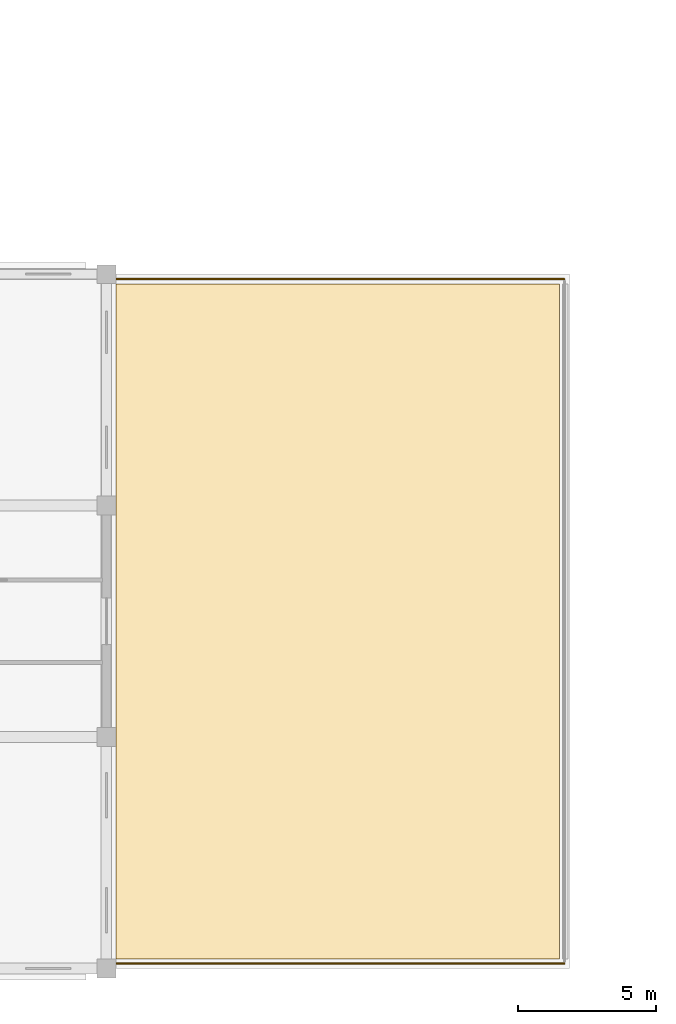
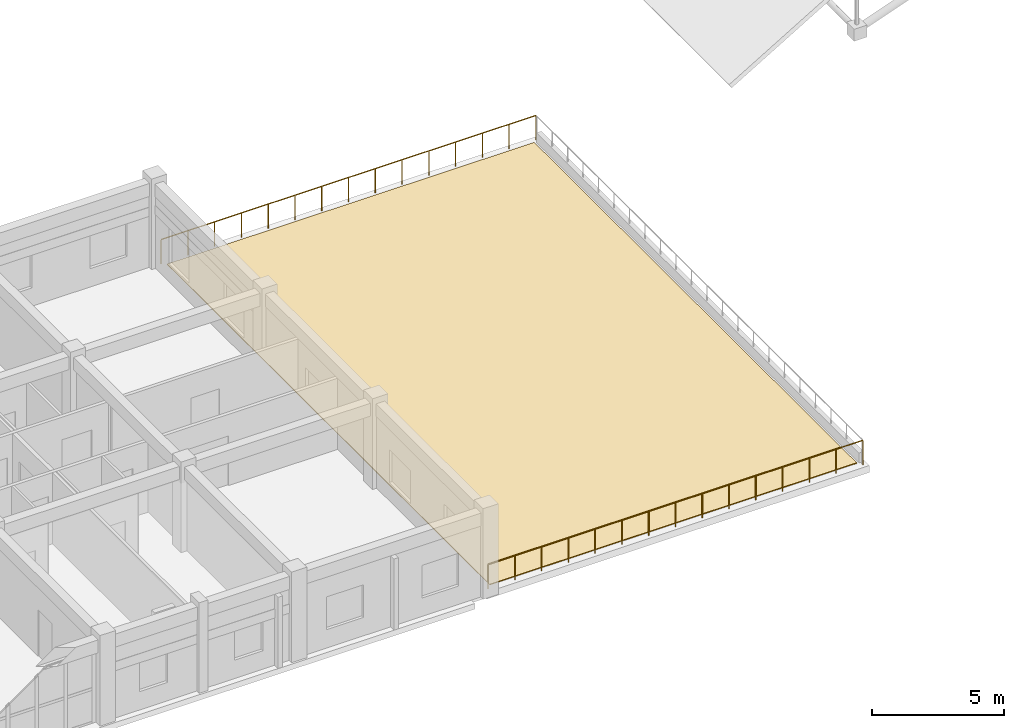
# One storey, part 132 of 140: 2 railings, 1 covering.
"""IFC4 building model written with IfcOpenShell, lengths in metres."""

from ifc_helpers import new_model, si_unit, direction, frame, origin, origin_2d, place, context, subcontext, project, spatial, polyline, circle, outline, extrude, material, layer, layer_set, type_object, element, save


model = new_model("IFC4")

# Units and contexts
model_context = context("Model", 3, precision=1e-05, world=origin(), true_north=direction((0.0, 1.0)))
body_context = subcontext(model_context, "Body", "Model", "MODEL_VIEW")
ifc_project = project(units=[si_unit("LENGTHUNIT", "METRE"), si_unit("AREAUNIT", "SQUARE_METRE"), si_unit("VOLUMEUNIT", "CUBIC_METRE"), si_unit("PLANEANGLEUNIT", "RADIAN"), si_unit("MASSUNIT", "GRAM", prefix="KILO")], contexts=[model_context])

# Site, building, storey
site_placement = place(None, origin())
site = spatial("IfcSite", under=ifc_project, at=site_placement, CompositionType="ELEMENT")
building_placement = place(site_placement, origin())
building = spatial("IfcBuilding", under=site, at=building_placement, Name="Trelvath General Hospital", CompositionType="ELEMENT")
storey_placement = place(building_placement, frame((0.0, 0.0, 16.199951171875)))
storey = spatial("IfcBuildingStorey", under=building, at=storey_placement, Name="L04", CompositionType="ELEMENT", Elevation=16.199951171875)

# Railings
ifc_material_1 = material(Name="Architectural painted steel", Category="steel")
railing_type = type_object("IfcRailingType", Name="Guardrail Terrace1150", PredefinedType="GUARDRAIL", material=ifc_material_1)
railing_1_placement = place(storey_placement, frame((117.780029296875, 0.179931640625, 0.0)))
element("IfcRailing", 1, at=railing_1_placement, inside=storey, type_object=railing_type, Name="Planted Terrace Guardrail TERR-SW-E4 S 8", PredefinedType="GUARDRAIL", context=body_context, shape_type="SweptSolid", body=[
    extrude(circle(Radius=0.02392578125, at=origin_2d()), frame((0.0, 0.0, 1.1259765625), z_axis=(1.0, 0.0, 0.0), x_axis=(0.0, 1.0, 0.0)), (0.0, 0.0, 1.0), 16.43994140625),
    extrude(circle(Radius=0.02099609375, at=origin_2d()), origin(), (0.0, 0.0, 1.0), 1.099853515625),
    extrude(circle(Radius=0.02099609375, at=origin_2d()), frame((1.17431640625, 0.0, 0.0)), (0.0, 0.0, 1.0), 1.099853515625),
    extrude(circle(Radius=0.02099609375, at=origin_2d()), frame((2.3486328125, 0.0, 0.0)), (0.0, 0.0, 1.0), 1.099853515625),
    extrude(circle(Radius=0.02099609375, at=origin_2d()), frame((3.52294921875, 0.0, 0.0)), (0.0, 0.0, 1.0), 1.099853515625),
    extrude(circle(Radius=0.02099609375, at=origin_2d()), frame((4.697021484375, 0.0, 0.0)), (0.0, 0.0, 1.0), 1.099853515625),
    extrude(circle(Radius=0.02099609375, at=origin_2d()), frame((5.871337890625, 0.0, 0.0)), (0.0, 0.0, 1.0), 1.099853515625),
    extrude(circle(Radius=0.02099609375, at=origin_2d()), frame((7.045654296875, 0.0, 0.0)), (0.0, 0.0, 1.0), 1.099853515625),
    extrude(circle(Radius=0.02099609375, at=origin_2d()), frame((8.219970703125, 0.0, 0.0)), (0.0, 0.0, 1.0), 1.099853515625),
    extrude(circle(Radius=0.02099609375, at=origin_2d()), frame((9.394287109375, 0.0, 0.0)), (0.0, 0.0, 1.0), 1.099853515625),
    extrude(circle(Radius=0.02099609375, at=origin_2d()), frame((10.568603515625, 0.0, 0.0)), (0.0, 0.0, 1.0), 1.099853515625),
    extrude(circle(Radius=0.02099609375, at=origin_2d()), frame((11.742919921875, 0.0, 0.0)), (0.0, 0.0, 1.0), 1.099853515625),
    extrude(circle(Radius=0.02099609375, at=origin_2d()), frame((12.9169921875, 0.0, 0.0)), (0.0, 0.0, 1.0), 1.099853515625),
    extrude(circle(Radius=0.02099609375, at=origin_2d()), frame((14.09130859375, 0.0, 0.0)), (0.0, 0.0, 1.0), 1.099853515625),
    extrude(circle(Radius=0.02099609375, at=origin_2d()), frame((15.265625, 0.0, 0.0)), (0.0, 0.0, 1.0), 1.099853515625),
    extrude(circle(Radius=0.02099609375, at=origin_2d()), frame((16.43994140625, 0.0, 0.0)), (0.0, 0.0, 1.0), 1.099853515625),
])
railing_2_placement = place(storey_placement, frame((117.780029296875, 25.02001953125, 0.0)))
element("IfcRailing", 2, at=railing_2_placement, inside=storey, type_object=railing_type, Name="Planted Terrace Guardrail TERR-SW-E4 N 9", PredefinedType="GUARDRAIL", context=body_context, shape_type="SweptSolid", body=[
    extrude(circle(Radius=0.02392578125, at=origin_2d()), frame((0.0, 0.0, 1.1259765625), z_axis=(1.0, 0.0, 0.0), x_axis=(0.0, 1.0, 0.0)), (0.0, 0.0, 1.0), 16.43994140625),
    extrude(circle(Radius=0.02099609375, at=origin_2d()), origin(), (0.0, 0.0, 1.0), 1.099853515625),
    extrude(circle(Radius=0.02099609375, at=origin_2d()), frame((1.17431640625, 0.0, 0.0)), (0.0, 0.0, 1.0), 1.099853515625),
    extrude(circle(Radius=0.02099609375, at=origin_2d()), frame((2.3486328125, 0.0, 0.0)), (0.0, 0.0, 1.0), 1.099853515625),
    extrude(circle(Radius=0.02099609375, at=origin_2d()), frame((3.52294921875, 0.0, 0.0)), (0.0, 0.0, 1.0), 1.099853515625),
    extrude(circle(Radius=0.02099609375, at=origin_2d()), frame((4.697021484375, 0.0, 0.0)), (0.0, 0.0, 1.0), 1.099853515625),
    extrude(circle(Radius=0.02099609375, at=origin_2d()), frame((5.871337890625, 0.0, 0.0)), (0.0, 0.0, 1.0), 1.099853515625),
    extrude(circle(Radius=0.02099609375, at=origin_2d()), frame((7.045654296875, 0.0, 0.0)), (0.0, 0.0, 1.0), 1.099853515625),
    extrude(circle(Radius=0.02099609375, at=origin_2d()), frame((8.219970703125, 0.0, 0.0)), (0.0, 0.0, 1.0), 1.099853515625),
    extrude(circle(Radius=0.02099609375, at=origin_2d()), frame((9.394287109375, 0.0, 0.0)), (0.0, 0.0, 1.0), 1.099853515625),
    extrude(circle(Radius=0.02099609375, at=origin_2d()), frame((10.568603515625, 0.0, 0.0)), (0.0, 0.0, 1.0), 1.099853515625),
    extrude(circle(Radius=0.02099609375, at=origin_2d()), frame((11.742919921875, 0.0, 0.0)), (0.0, 0.0, 1.0), 1.099853515625),
    extrude(circle(Radius=0.02099609375, at=origin_2d()), frame((12.9169921875, 0.0, 0.0)), (0.0, 0.0, 1.0), 1.099853515625),
    extrude(circle(Radius=0.02099609375, at=origin_2d()), frame((14.09130859375, 0.0, 0.0)), (0.0, 0.0, 1.0), 1.099853515625),
    extrude(circle(Radius=0.02099609375, at=origin_2d()), frame((15.265625, 0.0, 0.0)), (0.0, 0.0, 1.0), 1.099853515625),
    extrude(circle(Radius=0.02099609375, at=origin_2d()), frame((16.43994140625, 0.0, 0.0)), (0.0, 0.0, 1.0), 1.099853515625),
])

# Covering
ifc_material_2 = material(Name="Planted green roof substrate")
ifc_layer = layer(ifc_material_2, 0.179931640625)
ifc_layer_set = layer_set([ifc_layer], Name="Planted green roof substrate")
covering_type = type_object("IfcCoveringType", Name="Roofing PlantedGarden", PredefinedType="ROOFING", material=ifc_layer_set)
covering_placement = place(storey_placement, origin())
element("IfcCovering", 3, at=covering_placement, inside=storey, type_object=covering_type, Name="Planted Terrace Substrate TERR-SW-E4", PredefinedType="ROOFING", context=body_context, shape_type="SweptSolid", body=[
    extrude(outline(polyline([(117.949951171875, 0.35009765625), (134.050048828125, 0.35009765625), (134.050048828125, 24.85009765625), (117.949951171875, 24.85009765625), (117.949951171875, 0.35009765625)])), origin(), (0.0, 0.0, 1.0), 0.0400390625),
])

save(model, "model.ifc")
